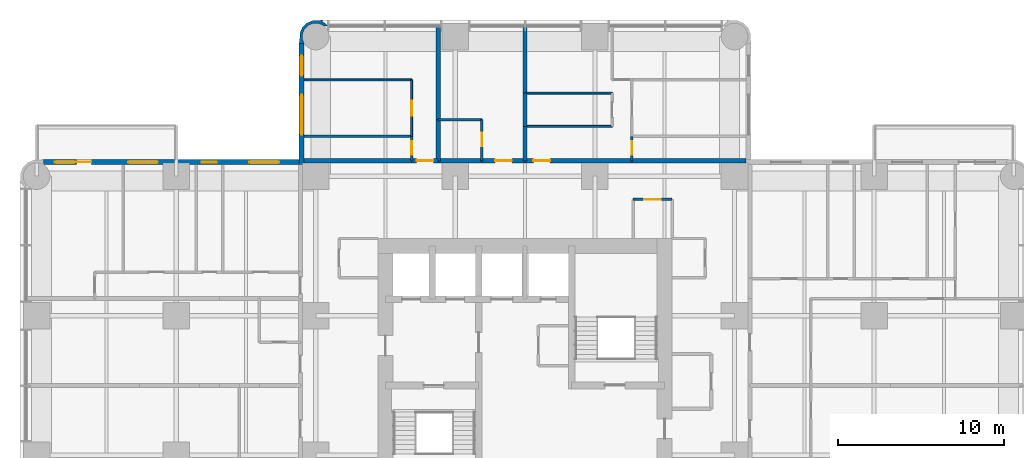
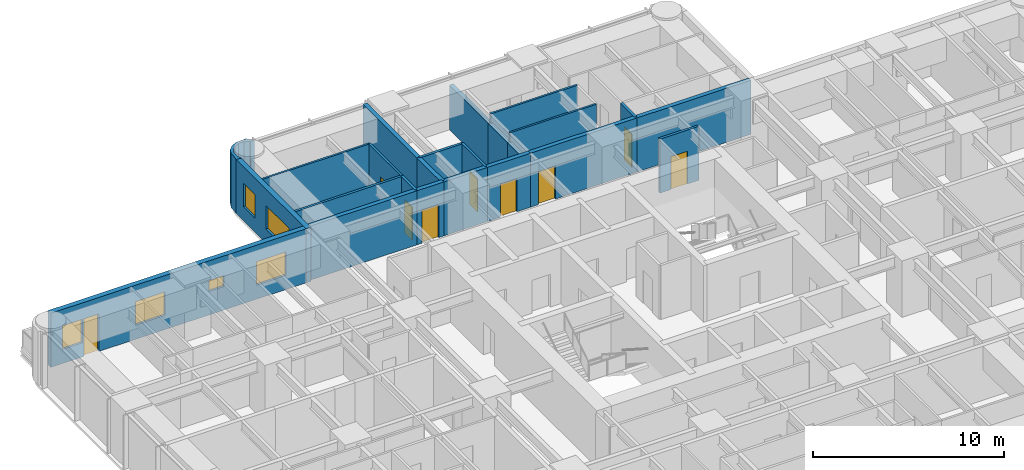
# One storey, part 11 of 14: 24 walls, 9 doors, 6 windows, 15 openings.
"""IFC4 building model written with IfcOpenShell, lengths in metres."""

from ifc_helpers import new_model, si_unit, direction, frame, frame_2d, origin, place, context, subcontext, project, spatial, polyline, rectangle, outline, extrude, material, layer, layer_set, type_object, element, fill, save


model = new_model("IFC4")

# Units and contexts
model_context = context("Model", 3, precision=1e-05, world=origin(), true_north=direction((0.0, 1.0)))
body_context = subcontext(model_context, "Body", "Model", "MODEL_VIEW")
ifc_project = project(units=[si_unit("LENGTHUNIT", "METRE"), si_unit("AREAUNIT", "SQUARE_METRE"), si_unit("VOLUMEUNIT", "CUBIC_METRE"), si_unit("PLANEANGLEUNIT", "RADIAN"), si_unit("MASSUNIT", "GRAM", prefix="KILO")], contexts=[model_context])

# Site, building, storey
site_placement = place(None, origin())
site = spatial("IfcSite", under=ifc_project, at=site_placement, CompositionType="ELEMENT")
building_placement = place(site_placement, origin())
building = spatial("IfcBuilding", under=site, at=building_placement, Name="Torre Alcanfor", CompositionType="ELEMENT")
storey_placement = place(building_placement, frame((0.0, 0.0, 134.10009765625)))
storey = spatial("IfcBuildingStorey", under=building, at=storey_placement, Name="L34", CompositionType="ELEMENT", Elevation=134.10009765625)

# Wall, opening, door
ifc_material_1 = material(Name="Concrete block masonry, hollow blocks NMX-C-404 9 MPa", Category="masonry")
ifc_layer_1 = layer(ifc_material_1, 0.25)
ifc_layer_set_1 = layer_set([ifc_layer_1], Name="Apartment entrance wall 250 EI 60")
wall_type_1 = type_object("IfcWallType", Name="Apartment entrance wall 250 EI 60", PredefinedType="PARTITIONING", material=ifc_layer_set_1)
wall_1_placement = place(storey_placement, frame((26.800048828125, 42.925048828125, 0.0), z_axis=(0.0, 0.0, 1.0), x_axis=(1.0, 0.0, 0.0)))
wall_1 = element("IfcWall", 1, at=wall_1_placement, inside=storey, type_object=wall_type_1, Name="Partition L34-CORR / L34-N1A-STUDIO", PredefinedType="PARTITIONING", context=body_context, shape_type="SweptSolid", body=[
    extrude(rectangle(XDim=2.599853515625, YDim=0.25, at=frame_2d((1.2998046875, 0.0))), origin(), (0.0, 0.0, 1.0), 3.449951171875),
])
opening_1_placement = place(wall_1_placement, frame((0.800048828125, 0.0, 0.0)))
opening_1 = element("IfcOpeningElement", 2, at=opening_1_placement, cuts=wall_1, Name="Opening D-A1", PredefinedType="OPENING", context=body_context, shape_type="SweptSolid", body=[
    extrude(rectangle(XDim=1.0, YDim=2.10009765625, at=frame_2d((0.5, 1.050048828125))), frame((0.0, 0.135009765625, 0.0), z_axis=(0.0, -1.0, 0.0), x_axis=(1.0, 0.0, 0.0)), (0.0, 0.0, 1.0), 0.27001953125),
])
ifc_material_2 = material(Name="Galvanised steel sheet ASTM A653", Category="steel")
door_type_1 = type_object("IfcDoorType", Name="Apartment entrance door FD60 1000x2100", OperationType="SINGLE_SWING_LEFT", PredefinedType="DOOR", material=ifc_material_2)
door_1_placement = place(opening_1_placement, origin())
door_1 = element("IfcDoor", 3, at=door_1_placement, inside=storey, type_object=door_type_1, Name="Apartment entrance L34-N1A", OperationType="SINGLE_SWING_LEFT", OverallHeight=2.10009765625, OverallWidth=1.0, PredefinedType="DOOR", context=body_context, shape_type="SweptSolid", body=[
    extrude(rectangle(XDim=1.0, YDim=2.10009765625, at=frame_2d((0.5, 1.050048828125))), frame((0.0, 0.02490234375, 0.0), z_axis=(0.0, -1.0, 0.0), x_axis=(1.0, 0.0, 0.0)), (0.0, 0.0, 1.0), 0.050048828125),
])
fill(opening_1, door_1)

# Wall
wall_2_placement = place(storey_placement, frame((24.1708984375, 42.925048828125, 0.0), z_axis=(0.0, 0.0, 1.0), x_axis=(1.0, 0.0, 0.0)))
element("IfcWall", 4, at=wall_2_placement, inside=storey, type_object=wall_type_1, Name="Partition L34-CORR / L34-N1A-BATH", PredefinedType="PARTITIONING", context=body_context, shape_type="SweptSolid", body=[
    extrude(rectangle(XDim=2.629150390625, YDim=0.25, at=frame_2d((1.314453125, 0.0))), origin(), (0.0, 0.0, 1.0), 3.449951171875),
])

# Wall, opening, door
wall_3_placement = place(storey_placement, frame((22.571044921875, 42.925048828125, 0.0), z_axis=(0.0, 0.0, 1.0), x_axis=(1.0, 0.0, 0.0)))
wall_3 = element("IfcWall", 5, at=wall_3_placement, inside=storey, type_object=wall_type_1, Name="Partition L34-CORR / L34-N1B-LIVING", PredefinedType="PARTITIONING", context=body_context, shape_type="SweptSolid", body=[
    extrude(rectangle(XDim=1.599853515625, YDim=0.25, at=frame_2d((0.7998046875, 0.0))), origin(), (0.0, 0.0, 1.0), 3.449951171875),
])
opening_2_placement = place(wall_3_placement, frame((0.300048828125, 0.0, 0.0)))
opening_2 = element("IfcOpeningElement", 6, at=opening_2_placement, cuts=wall_3, Name="Opening D-A1", PredefinedType="OPENING", context=body_context, shape_type="SweptSolid", body=[
    extrude(rectangle(XDim=1.0, YDim=2.10009765625, at=frame_2d((0.5, 1.050048828125))), frame((0.0, 0.135009765625, 0.0), z_axis=(0.0, -1.0, 0.0), x_axis=(1.0, 0.0, 0.0)), (0.0, 0.0, 1.0), 0.27001953125),
])
door_2_placement = place(opening_2_placement, origin())
door_2 = element("IfcDoor", 7, at=door_2_placement, inside=storey, type_object=door_type_1, Name="Apartment entrance L34-N1B", OperationType="SINGLE_SWING_LEFT", OverallHeight=2.10009765625, OverallWidth=1.0, PredefinedType="DOOR", context=body_context, shape_type="SweptSolid", body=[
    extrude(rectangle(XDim=1.0, YDim=2.10009765625, at=frame_2d((0.5, 1.050048828125))), frame((0.0, 0.02490234375, 0.0), z_axis=(0.0, -1.0, 0.0), x_axis=(1.0, 0.0, 0.0)), (0.0, 0.0, 1.0), 0.050048828125),
])
fill(opening_2, door_2)

# Wall
wall_4_placement = place(storey_placement, frame((16.10009765625, 42.925048828125, 0.0), z_axis=(0.0, 0.0, 1.0), x_axis=(1.0, 0.0, 0.0)))
element("IfcWall", 8, at=wall_4_placement, inside=storey, type_object=wall_type_1, Name="Partition L34-CORR / L34-N1B-BATH", PredefinedType="PARTITIONING", context=body_context, shape_type="SweptSolid", body=[
    extrude(rectangle(XDim=6.470947265625, YDim=0.25, at=frame_2d((3.2353515625, 0.0))), origin(), (0.0, 0.0, 1.0), 3.449951171875),
])

# Wall, opening, door
wall_5_placement = place(storey_placement, frame((29.39990234375, 42.925048828125, 0.0), z_axis=(0.0, 0.0, 1.0), x_axis=(1.0, 0.0, 0.0)))
wall_5 = element("IfcWall", 9, at=wall_5_placement, inside=storey, type_object=wall_type_1, Name="Partition L34-CORR / L34-N2-LIVING", PredefinedType="PARTITIONING", context=body_context, shape_type="SweptSolid", body=[
    extrude(rectangle(XDim=6.42919921875, YDim=0.25, at=frame_2d((3.214599609375, 0.0))), origin(), (0.0, 0.0, 1.0), 3.449951171875),
])
opening_3_placement = place(wall_5_placement, frame((0.5, 0.0, 0.0)))
opening_3 = element("IfcOpeningElement", 10, at=opening_3_placement, cuts=wall_5, Name="Opening D-A1", PredefinedType="OPENING", context=body_context, shape_type="SweptSolid", body=[
    extrude(rectangle(XDim=1.0, YDim=2.10009765625, at=frame_2d((0.5, 1.050048828125))), frame((0.0, 0.135009765625, 0.0), z_axis=(0.0, -1.0, 0.0), x_axis=(1.0, 0.0, 0.0)), (0.0, 0.0, 1.0), 0.27001953125),
])
door_3_placement = place(opening_3_placement, origin())
door_3 = element("IfcDoor", 11, at=door_3_placement, inside=storey, type_object=door_type_1, Name="Apartment entrance L34-N2", OperationType="SINGLE_SWING_LEFT", OverallHeight=2.10009765625, OverallWidth=1.0, PredefinedType="DOOR", context=body_context, shape_type="SweptSolid", body=[
    extrude(rectangle(XDim=1.0, YDim=2.10009765625, at=frame_2d((0.5, 1.050048828125))), frame((0.0, 0.02490234375, 0.0), z_axis=(0.0, -1.0, 0.0), x_axis=(1.0, 0.0, 0.0)), (0.0, 0.0, 1.0), 0.050048828125),
])
fill(opening_3, door_3)

# Wall
wall_6_placement = place(storey_placement, frame((35.8291015625, 42.925048828125, 0.0), z_axis=(0.0, 0.0, 1.0), x_axis=(1.0, 0.0, 0.0)))
element("IfcWall", 12, at=wall_6_placement, inside=storey, type_object=wall_type_1, Name="Partition L34-CORR / L34-N2-BATH", PredefinedType="PARTITIONING", context=body_context, shape_type="SweptSolid", body=[
    extrude(rectangle(XDim=6.870849609375, YDim=0.25, at=frame_2d((3.435546875, 0.0))), origin(), (0.0, 0.0, 1.0), 3.449951171875),
])

# Wall, opening, door
ifc_material_3 = material(Name="Gypsum board on steel studs", Category="steel")
ifc_layer_2 = layer(ifc_material_3, 0.1201171875)
ifc_layer_set_2 = layer_set([ifc_layer_2], Name="Apartment partition 120")
wall_type_2 = type_object("IfcWallType", Name="Apartment partition 120", PredefinedType="PARTITIONING", material=ifc_layer_set_2)
wall_7_placement = place(storey_placement, frame((22.571044921875, 44.39990234375, 0.0), z_axis=(0.0, 0.0, 1.0), x_axis=(0.0, 1.0, 0.0)))
wall_7 = element("IfcWall", 13, at=wall_7_placement, inside=storey, type_object=wall_type_2, Name="Partition L34-N1B-LIVING / L34-N1B-MASTER", PredefinedType="PARTITIONING", context=body_context, shape_type="SweptSolid", body=[
    extrude(rectangle(XDim=3.400146484375, YDim=0.1201171875, at=frame_2d((1.7001953125, 0.0))), origin(), (0.0, 0.0, 1.0), 3.449951171875),
])
opening_4_placement = place(wall_7_placement, frame((1.25, 0.0, 0.0)))
opening_4 = element("IfcOpeningElement", 14, at=opening_4_placement, cuts=wall_7, Name="Opening D-R1", PredefinedType="OPENING", context=body_context, shape_type="SweptSolid", body=[
    extrude(rectangle(XDim=0.89990234375, YDim=2.10009765625, at=frame_2d((0.449951171875, 1.050048828125))), frame((0.0, 0.070068359375, 0.0), z_axis=(0.0, -1.0, 0.0), x_axis=(1.0, 0.0, 0.0)), (0.0, 0.0, 1.0), 0.14013671875),
])
ifc_material_4 = material(Name="Timber", Category="wood")
door_type_2 = type_object("IfcDoorType", Name="Internal door 900x2100", OperationType="SINGLE_SWING_LEFT", PredefinedType="DOOR", material=ifc_material_4)
door_4_placement = place(opening_4_placement, origin())
door_4 = element("IfcDoor", 15, at=door_4_placement, inside=storey, type_object=door_type_2, Name="Door L34-N1B master", OperationType="SINGLE_SWING_LEFT", OverallHeight=2.10009765625, OverallWidth=0.89990234375, PredefinedType="DOOR", context=body_context, shape_type="SweptSolid", body=[
    extrude(rectangle(XDim=0.89990234375, YDim=2.10009765625, at=frame_2d((0.449951171875, 1.050048828125))), frame((0.0, 0.02490234375, 0.0), z_axis=(0.0, -1.0, 0.0), x_axis=(1.0, 0.0, 0.0)), (0.0, 0.0, 1.0), 0.050048828125),
])
fill(opening_4, door_4)

# Walls
wall_8_placement = place(storey_placement, frame((22.571044921875, 47.800048828125, 0.0), z_axis=(0.0, 0.0, 1.0), x_axis=(-1.0, 0.0, 0.0)))
element("IfcWall", 16, at=wall_8_placement, inside=storey, type_object=wall_type_2, Name="Partition L34-N1B-LIVING / L34-N1B-MASTER", PredefinedType="PARTITIONING", context=body_context, shape_type="SweptSolid", body=[
    extrude(rectangle(XDim=6.470947265625, YDim=0.1201171875, at=frame_2d((3.2353515625, 0.0))), origin(), (0.0, 0.0, 1.0), 3.449951171875),
])
for number, where, z_axis, x_axis, name in (
    (17, (29.39990234375, 47.0, 0.0), (0.0, 0.0, 1.0), (1.0, 0.0, 0.0), "Partition L34-N2-KITCHEN / L34-N2-LIVING"),
    (18, (34.62890625, 45.0, 0.0), (0.0, 0.0, 1.0), (-1.0, 0.0, 0.0), "Partition L34-N2-KITCHEN / L34-N2-LIVING"),
):
    element("IfcWall", number, at=place(storey_placement, frame(where, z_axis=z_axis, x_axis=x_axis)), inside=storey, type_object=wall_type_2, Name=name, PredefinedType="PARTITIONING", context=body_context, shape_type="SweptSolid", body=[
        extrude(rectangle(XDim=5.22900390625, YDim=0.1201171875, at=frame_2d((2.614501953125, 0.0))), origin(), (0.0, 0.0, 1.0), 3.449951171875),
    ])

# Wall, openings, door, windows
ifc_material_5 = material(Name="Limestone cladding", Category="masonry")
ifc_layer_3 = layer(ifc_material_5, 0.0400390625, Name="Facing")
ifc_material_6 = material(Name="Ventilated air cavity")
ifc_layer_4 = layer(ifc_material_6, 0.02001953125, ventilated=True, Name="Ventilated joint")
ifc_material_7 = material(Name="Mineral wool insulation", Category="insulation")
ifc_layer_5 = layer(ifc_material_7, 0.10009765625, Name="Insulation")
ifc_material_8 = material(Name="Concrete f'c 35 MPa", Category="concrete")
ifc_layer_6 = layer(ifc_material_8, 0.139892578125, Name="Backing")
ifc_layer_set_3 = layer_set([ifc_layer_3, ifc_layer_4, ifc_layer_5, ifc_layer_6], Name="External wall stone-clad 300")
wall_type_3 = type_object("IfcWallType", Name="External wall stone-clad 300", PredefinedType="SOLIDWALL", material=ifc_layer_set_3)
wall_9_placement = place(storey_placement, frame((15.800048828125, 42.85009765625, 0.0), z_axis=(0.0, 0.0, 1.0), x_axis=(-1.0, 0.0, 0.0)))
wall_9 = element("IfcWall", 19, at=wall_9_placement, inside=storey, type_object=wall_type_3, Name="External wall L34 1", PredefinedType="SOLIDWALL", context=body_context, shape_type="SweptSolid", body=[
    extrude(rectangle(XDim=15.400146484375, YDim=0.300048828125, at=frame_2d((7.7001953125, 0.0))), origin(), (0.0, 0.0, 1.0), 3.449951171875),
])
opening_5_placement = place(wall_9_placement, frame((1.199951171875, 0.0, 0.89990234375)))
opening_5 = element("IfcOpeningElement", 20, at=opening_5_placement, cuts=wall_9, Name="Opening W2", PredefinedType="OPENING", context=body_context, shape_type="SweptSolid", body=[
    extrude(rectangle(XDim=1.800048828125, YDim=1.5, at=frame_2d((0.89990234375, 0.75))), frame((0.0, 0.159912109375, 0.0), z_axis=(0.0, -1.0, 0.0), x_axis=(1.0, 0.0, 0.0)), (0.0, 0.0, 1.0), 0.320068359375),
])
opening_6_placement = place(wall_9_placement, frame((4.949951171875, 0.0, 1.5)))
opening_6 = element("IfcOpeningElement", 21, at=opening_6_placement, cuts=wall_9, Name="Opening W3", PredefinedType="OPENING", context=body_context, shape_type="SweptSolid", body=[
    extrude(rectangle(XDim=0.89990234375, YDim=0.699951171875, at=frame_2d((0.449951171875, 0.35009765625))), frame((0.0, 0.159912109375, 0.0), z_axis=(0.0, -1.0, 0.0), x_axis=(1.0, 0.0, 0.0)), (0.0, 0.0, 1.0), 0.320068359375),
])
opening_7_placement = place(wall_9_placement, frame((8.5, 0.0, 0.89990234375)))
opening_7 = element("IfcOpeningElement", 22, at=opening_7_placement, cuts=wall_9, Name="Opening W2", PredefinedType="OPENING", context=body_context, shape_type="SweptSolid", body=[
    extrude(rectangle(XDim=1.800048828125, YDim=1.5, at=frame_2d((0.89990234375, 0.75))), frame((0.0, 0.159912109375, 0.0), z_axis=(0.0, -1.0, 0.0), x_axis=(1.0, 0.0, 0.0)), (0.0, 0.0, 1.0), 0.320068359375),
])
opening_8_placement = place(wall_9_placement, frame((12.5, 0.0, 0.0)))
opening_8 = element("IfcOpeningElement", 23, at=opening_8_placement, cuts=wall_9, Name="Opening D-B1", PredefinedType="OPENING", context=body_context, shape_type="SweptSolid", body=[
    extrude(rectangle(XDim=0.89990234375, YDim=2.39990234375, at=frame_2d((0.449951171875, 1.199951171875))), frame((0.0, 0.159912109375, 0.0), z_axis=(0.0, -1.0, 0.0), x_axis=(1.0, 0.0, 0.0)), (0.0, 0.0, 1.0), 0.320068359375),
])
opening_9_placement = place(wall_9_placement, frame((13.5, 0.0, 0.89990234375)))
opening_9 = element("IfcOpeningElement", 24, at=opening_9_placement, cuts=wall_9, Name="Opening W4", PredefinedType="OPENING", context=body_context, shape_type="SweptSolid", body=[
    extrude(rectangle(XDim=1.199951171875, YDim=1.5, at=frame_2d((0.60009765625, 0.75))), frame((0.0, 0.159912109375, 0.0), z_axis=(0.0, -1.0, 0.0), x_axis=(1.0, 0.0, 0.0)), (0.0, 0.0, 1.0), 0.320068359375),
])
ifc_material_9 = material(Name="Aluminium and glass", Category="aluminium")
door_type_3 = type_object("IfcDoorType", Name="Balcony door glazed 900x2400", OperationType="SINGLE_SWING_LEFT", PredefinedType="DOOR", material=ifc_material_9)
door_5_placement = place(opening_8_placement, origin())
door_5 = element("IfcDoor", 25, at=door_5_placement, inside=storey, type_object=door_type_3, Name="Balcony door L34-W2", OperationType="SINGLE_SWING_LEFT", OverallHeight=2.39990234375, OverallWidth=0.89990234375, PredefinedType="DOOR", context=body_context, shape_type="SweptSolid", body=[
    extrude(rectangle(XDim=0.89990234375, YDim=2.39990234375, at=frame_2d((0.449951171875, 1.199951171875))), frame((0.0, 0.02490234375, 0.0), z_axis=(0.0, -1.0, 0.0), x_axis=(1.0, 0.0, 0.0)), (0.0, 0.0, 1.0), 0.050048828125),
])
fill(opening_8, door_5)
ifc_material_10 = material(Name="Aluminium frame with clear double glazing", Category="aluminium")
window_type_1 = type_object("IfcWindowType", Name="Window bathroom 900x700", PartitioningType="SINGLE_PANEL", PredefinedType="WINDOW", material=ifc_material_10)
window_1_placement = place(opening_6_placement, origin())
window_1 = element("IfcWindow", 26, at=window_1_placement, inside=storey, type_object=window_type_1, Name="Window W3 L34-W2", OverallHeight=0.699951171875, OverallWidth=0.89990234375, PartitioningType="SINGLE_PANEL", PredefinedType="WINDOW", context=body_context, shape_type="SweptSolid", body=[
    extrude(rectangle(XDim=0.89990234375, YDim=0.699951171875, at=frame_2d((0.449951171875, 0.35009765625))), frame((0.0, 0.030029296875, 0.0), z_axis=(0.0, -1.0, 0.0), x_axis=(1.0, 0.0, 0.0)), (0.0, 0.0, 1.0), 0.06005859375),
])
fill(opening_6, window_1)
ifc_material_11 = material(Name="Aluminium frame with clear double glazing", Category="aluminium")
window_type_2 = type_object("IfcWindowType", Name="Window bedroom 1200x1500", PartitioningType="SINGLE_PANEL", PredefinedType="WINDOW", material=ifc_material_11)
window_2_placement = place(opening_9_placement, origin())
window_2 = element("IfcWindow", 27, at=window_2_placement, inside=storey, type_object=window_type_2, Name="Window W4 L34-W2", OverallHeight=1.5, OverallWidth=1.199951171875, PartitioningType="SINGLE_PANEL", PredefinedType="WINDOW", context=body_context, shape_type="SweptSolid", body=[
    extrude(rectangle(XDim=1.199951171875, YDim=1.5, at=frame_2d((0.60009765625, 0.75))), frame((0.0, 0.030029296875, 0.0), z_axis=(0.0, -1.0, 0.0), x_axis=(1.0, 0.0, 0.0)), (0.0, 0.0, 1.0), 0.06005859375),
])
fill(opening_9, window_2)
ifc_material_12 = material(Name="Aluminium frame with clear double glazing", Category="aluminium")
window_type_3 = type_object("IfcWindowType", Name="Window bedroom 1800x1500", PartitioningType="SINGLE_PANEL", PredefinedType="WINDOW", material=ifc_material_12)
window_3_placement = place(opening_5_placement, origin())
window_3 = element("IfcWindow", 28, at=window_3_placement, inside=storey, type_object=window_type_3, Name="Window W2 L34-W2", OverallHeight=1.5, OverallWidth=1.800048828125, PartitioningType="SINGLE_PANEL", PredefinedType="WINDOW", context=body_context, shape_type="SweptSolid", body=[
    extrude(rectangle(XDim=1.800048828125, YDim=1.5, at=frame_2d((0.89990234375, 0.75))), frame((0.0, 0.030029296875, 0.0), z_axis=(0.0, -1.0, 0.0), x_axis=(1.0, 0.0, 0.0)), (0.0, 0.0, 1.0), 0.06005859375),
])
fill(opening_5, window_3)
window_4_placement = place(opening_7_placement, origin())
window_4 = element("IfcWindow", 29, at=window_4_placement, inside=storey, type_object=window_type_3, Name="Window W2 L34-W2", OverallHeight=1.5, OverallWidth=1.800048828125, PartitioningType="SINGLE_PANEL", PredefinedType="WINDOW", context=body_context, shape_type="SweptSolid", body=[
    extrude(rectangle(XDim=1.800048828125, YDim=1.5, at=frame_2d((0.89990234375, 0.75))), frame((0.0, 0.030029296875, 0.0), z_axis=(0.0, -1.0, 0.0), x_axis=(1.0, 0.0, 0.0)), (0.0, 0.0, 1.0), 0.06005859375),
])
fill(opening_7, window_4)

# Wall, openings, windows
wall_10_placement = place(storey_placement, frame((15.949951171875, 50.0, 0.0), z_axis=(0.0, 0.0, 1.0), x_axis=(0.0, -1.0, 0.0)))
wall_10 = element("IfcWall", 30, at=wall_10_placement, inside=storey, type_object=wall_type_3, Name="External wall L34 12", PredefinedType="SOLIDWALL", context=body_context, shape_type="SweptSolid", body=[
    extrude(rectangle(XDim=7.300048828125, YDim=0.300048828125, at=frame_2d((3.64990234375, 0.0))), origin(), (0.0, 0.0, 1.0), 3.449951171875),
])
opening_10_placement = place(wall_10_placement, frame((3.10009765625, 0.0, 0.89990234375)))
opening_10 = element("IfcOpeningElement", 31, at=opening_10_placement, cuts=wall_10, Name="Opening W1", PredefinedType="OPENING", context=body_context, shape_type="SweptSolid", body=[
    extrude(rectangle(XDim=2.39990234375, YDim=1.5, at=frame_2d((1.199951171875, 0.75))), frame((0.0, 0.159912109375, 0.0), z_axis=(0.0, -1.0, 0.0), x_axis=(1.0, 0.0, 0.0)), (0.0, 0.0, 1.0), 0.320068359375),
])
opening_11_placement = place(wall_10_placement, frame((0.75, 0.0, 0.89990234375)))
opening_11 = element("IfcOpeningElement", 32, at=opening_11_placement, cuts=wall_10, Name="Opening W4", PredefinedType="OPENING", context=body_context, shape_type="SweptSolid", body=[
    extrude(rectangle(XDim=1.199951171875, YDim=1.5, at=frame_2d((0.60009765625, 0.75))), frame((0.0, 0.159912109375, 0.0), z_axis=(0.0, -1.0, 0.0), x_axis=(1.0, 0.0, 0.0)), (0.0, 0.0, 1.0), 0.320068359375),
])
window_5_placement = place(opening_11_placement, origin())
window_5 = element("IfcWindow", 33, at=window_5_placement, inside=storey, type_object=window_type_2, Name="Window W4 L34-N1", OverallHeight=1.5, OverallWidth=1.199951171875, PartitioningType="SINGLE_PANEL", PredefinedType="WINDOW", context=body_context, shape_type="SweptSolid", body=[
    extrude(rectangle(XDim=1.199951171875, YDim=1.5, at=frame_2d((0.60009765625, 0.75))), frame((0.0, 0.030029296875, 0.0), z_axis=(0.0, -1.0, 0.0), x_axis=(1.0, 0.0, 0.0)), (0.0, 0.0, 1.0), 0.06005859375),
])
fill(opening_11, window_5)
ifc_material_13 = material(Name="Aluminium frame with clear double glazing", Category="aluminium")
window_type_4 = type_object("IfcWindowType", Name="Window bedroom 2400x1500", PartitioningType="SINGLE_PANEL", PredefinedType="WINDOW", material=ifc_material_13)
window_6_placement = place(opening_10_placement, origin())
window_6 = element("IfcWindow", 34, at=window_6_placement, inside=storey, type_object=window_type_4, Name="Window W1 L34-N1", OverallHeight=1.5, OverallWidth=2.39990234375, PartitioningType="SINGLE_PANEL", PredefinedType="WINDOW", context=body_context, shape_type="SweptSolid", body=[
    extrude(rectangle(XDim=2.39990234375, YDim=1.5, at=frame_2d((1.199951171875, 0.75))), frame((0.0, 0.030029296875, 0.0), z_axis=(0.0, -1.0, 0.0), x_axis=(1.0, 0.0, 0.0)), (0.0, 0.0, 1.0), 0.06005859375),
])
fill(opening_10, window_6)

# Walls
ifc_material_14 = material(Name="Concrete block masonry, hollow blocks NMX-C-404 9 MPa", Category="masonry")
ifc_layer_7 = layer(ifc_material_14, 0.25)
ifc_layer_set_4 = layer_set([ifc_layer_7], Name="Party wall 250 EI 60")
wall_type_4 = type_object("IfcWallType", Name="Party wall 250 EI 60", PredefinedType="PARTITIONING", material=ifc_layer_set_4)
wall_11_placement = place(storey_placement, frame((24.1708984375, 45.39990234375, 0.0), z_axis=(0.0, 0.0, 1.0), x_axis=(0.0, 1.0, 0.0)))
element("IfcWall", 35, at=wall_11_placement, inside=storey, type_object=wall_type_4, Name="Partition L34-N1A-STUDIO / L34-N1B-LIVING", PredefinedType="PARTITIONING", context=body_context, shape_type="SweptSolid", body=[
    extrude(rectangle(XDim=5.650146484375, YDim=0.25, at=frame_2d((2.8251953125, 0.0))), origin(), (0.0, 0.0, 1.0), 3.449951171875),
])
wall_12_placement = place(storey_placement, frame((29.39990234375, 47.0, 0.0), z_axis=(0.0, 0.0, 1.0), x_axis=(0.0, -1.0, 0.0)))
element("IfcWall", 36, at=wall_12_placement, inside=storey, type_object=wall_type_4, Name="Partition L34-N1A-STUDIO / L34-N2-KITCHEN", PredefinedType="PARTITIONING", context=body_context, shape_type="SweptSolid", body=[
    extrude(rectangle(XDim=2.0, YDim=0.25, at=frame_2d((1.0, 0.0))), origin(), (0.0, 0.0, 1.0), 2.847900390625),
])
wall_13_placement = place(storey_placement, frame((29.39990234375, 45.0, 0.0), z_axis=(0.0, 0.0, 1.0), x_axis=(0.0, -1.0, 0.0)))
element("IfcWall", 37, at=wall_13_placement, inside=storey, type_object=wall_type_4, Name="Partition L34-N1A-STUDIO / L34-N2-LIVING", PredefinedType="PARTITIONING", context=body_context, shape_type="SweptSolid", body=[
    extrude(rectangle(XDim=2.074951171875, YDim=0.25, at=frame_2d((1.03759765625, 0.0))), origin(), (0.0, 0.0, 1.0), 2.847900390625),
])
wall_14_placement = place(storey_placement, frame((29.39990234375, 51.050048828125, 0.0), z_axis=(0.0, 0.0, 1.0), x_axis=(0.0, -1.0, 0.0)))
element("IfcWall", 38, at=wall_14_placement, inside=storey, type_object=wall_type_4, Name="Partition L34-N1A-STUDIO / L34-N2-LIVING", PredefinedType="PARTITIONING", context=body_context, shape_type="SweptSolid", body=[
    extrude(rectangle(XDim=4.050048828125, YDim=0.25, at=frame_2d((2.02490234375, 0.0))), origin(), (0.0, 0.0, 1.0), 2.847900390625),
])
wall_15_placement = place(storey_placement, frame((24.1708984375, 45.39990234375, 0.0), z_axis=(0.0, 0.0, 1.0), x_axis=(0.0, -1.0, 0.0)))
element("IfcWall", 39, at=wall_15_placement, inside=storey, type_object=wall_type_4, Name="Partition L34-N1A-BATH / L34-N1B-LIVING", PredefinedType="PARTITIONING", context=body_context, shape_type="SweptSolid", body=[
    extrude(rectangle(XDim=2.474853515625, YDim=0.25, at=frame_2d((1.2373046875, 0.0))), origin(), (0.0, 0.0, 1.0), 3.449951171875),
])

# Wall, opening, door
ifc_material_15 = material(Name="Concrete block masonry, hollow blocks NMX-C-404 9 MPa", Category="masonry")
ifc_layer_8 = layer(ifc_material_15, 0.14990234375)
ifc_layer_set_5 = layer_set([ifc_layer_8], Name="Residents' room partition 150")
wall_type_5 = type_object("IfcWallType", Name="Residents' room partition 150", PredefinedType="PARTITIONING", material=ifc_layer_set_5)
wall_16_placement = place(storey_placement, frame((38.25, 40.60009765625, 0.0), z_axis=(0.0, 0.0, 1.0), x_axis=(-1.0, 0.0, 0.0)))
wall_16 = element("IfcWall", 40, at=wall_16_placement, inside=storey, type_object=wall_type_5, Name="Partition L34-CORR / L34-G01", PredefinedType="PARTITIONING", context=body_context, shape_type="SweptSolid", body=[
    extrude(rectangle(XDim=2.35009765625, YDim=0.14990234375, at=frame_2d((1.175048828125, 0.0))), origin(), (0.0, 0.0, 1.0), 3.449951171875),
])
opening_12_placement = place(wall_16_placement, frame((0.675048828125, 0.0, 0.0)))
opening_12 = element("IfcOpeningElement", 41, at=opening_12_placement, cuts=wall_16, Name="Opening D-M1", PredefinedType="OPENING", context=body_context, shape_type="SweptSolid", body=[
    extrude(rectangle(XDim=1.0, YDim=2.10009765625, at=frame_2d((0.5, 1.050048828125))), frame((0.0, 0.0849609375, 0.0), z_axis=(0.0, -1.0, 0.0), x_axis=(1.0, 0.0, 0.0)), (0.0, 0.0, 1.0), 0.169921875),
])
ifc_material_16 = material(Name="Timber", Category="wood")
door_type_4 = type_object("IfcDoorType", Name="Residents' room door 1000x2100", OperationType="SINGLE_SWING_LEFT", PredefinedType="DOOR", material=ifc_material_16)
door_6_placement = place(opening_12_placement, origin())
door_6 = element("IfcDoor", 42, at=door_6_placement, inside=storey, type_object=door_type_4, Name="Door L34-G01 parcel room", OperationType="SINGLE_SWING_LEFT", OverallHeight=2.10009765625, OverallWidth=1.0, PredefinedType="DOOR", context=body_context, shape_type="SweptSolid", body=[
    extrude(rectangle(XDim=1.0, YDim=2.10009765625, at=frame_2d((0.5, 1.050048828125))), frame((0.0, 0.02490234375, 0.0), z_axis=(0.0, -1.0, 0.0), x_axis=(1.0, 0.0, 0.0)), (0.0, 0.0, 1.0), 0.050048828125),
])
fill(opening_12, door_6)

# Wall
ifc_layer_9 = layer(ifc_material_5, 0.0400390625, Name="Facing")
ifc_layer_10 = layer(ifc_material_6, 0.02001953125, ventilated=True, Name="Ventilated joint")
ifc_layer_11 = layer(ifc_material_7, 0.10009765625, Name="Insulation")
ifc_layer_12 = layer(ifc_material_8, 0.139892578125, Name="Backing")
ifc_layer_set_6 = layer_set([ifc_layer_9, ifc_layer_10, ifc_layer_11, ifc_layer_12], Name="Rounded corner pier stone-clad 300")
wall_type_6 = type_object("IfcWallType", Name="Rounded corner pier stone-clad 300", PredefinedType="SOLIDWALL", material=ifc_layer_set_6)
wall_17_placement = place(storey_placement, frame((17.448071802, 50.995317512, 0.0), z_axis=(0.0, 0.0, 1.0), x_axis=(-0.343276641956, 0.93923434088, 0.0)))
element("IfcWall", 43, at=wall_17_placement, inside=storey, type_object=wall_type_6, Name="Corner pier L34 20", PredefinedType="SOLIDWALL", context=body_context, shape_type="SweptSolid", body=[
    extrude(outline(polyline([(0.24108059829103723, 0.022959620234629247), (0.3334805428319213, 0.12357557552177408), (0.4651739844878831, 0.09415889406460926), (0.5320540980205655, 0.3930753034134802), (0.6306958479185591, 0.6629675932609465), (0.6144442310825087, 1.0445145490965344), (0.4535240125743382, 1.3908175635047577), (0.17229496211504458, 1.6490443416962495), (-0.0975973277324218, 1.7476860915942432), (-0.36910859501107685, 1.8895490248211664), (-0.5092558011112671, 1.6213097208797382), (-0.4906820751319597, 1.6145212911926206), (-0.47934485608116756, 1.6085581501360122), (-0.21131694537408713, 1.6200307736528514), (0.0879264176258649, 1.5106616286937335), (0.32264848080083985, 1.2951661291093102), (0.4569426595377669, 1.0061627997252323), (0.4702938084391308, 0.6878005781830546), (0.3609246634800129, 0.3885572151831026), (0.1454291638955897, 0.15383515200812764), (0.10816871297824923, 0.136520951282565), (0.030981753202503952, -0.0746691922599299), (0.24108059829103723, 0.022959620234629247)])), origin(), (0.0, 0.0, 1.0), 3.449951171875),
])

# Wall, opening, door
ifc_material_17 = material(Name="Cement board on steel studs", Category="steel")
ifc_layer_13 = layer(ifc_material_17, 0.14990234375)
ifc_layer_set_7 = layer_set([ifc_layer_13], Name="Wet area partition 150")
wall_type_7 = type_object("IfcWallType", Name="Wet area partition 150", PredefinedType="PARTITIONING", material=ifc_layer_set_7)
wall_18_placement = place(storey_placement, frame((26.800048828125, 42.925048828125, 0.0), z_axis=(0.0, 0.0, 1.0), x_axis=(0.0, 1.0, 0.0)))
wall_18 = element("IfcWall", 44, at=wall_18_placement, inside=storey, type_object=wall_type_7, Name="Partition L34-N1A-STUDIO / L34-N1A-BATH", PredefinedType="PARTITIONING", context=body_context, shape_type="SweptSolid", body=[
    extrude(rectangle(XDim=2.474853515625, YDim=0.14990234375, at=frame_2d((1.2373046875, 0.0))), origin(), (0.0, 0.0, 1.0), 3.449951171875),
])
opening_13_placement = place(wall_18_placement, frame((0.875, 0.0, 0.0)))
opening_13 = element("IfcOpeningElement", 45, at=opening_13_placement, cuts=wall_18, Name="Opening D-R2", PredefinedType="OPENING", context=body_context, shape_type="SweptSolid", body=[
    extrude(rectangle(XDim=0.800048828125, YDim=2.10009765625, at=frame_2d((0.39990234375, 1.050048828125))), frame((0.0, 0.0849609375, 0.0), z_axis=(0.0, -1.0, 0.0), x_axis=(1.0, 0.0, 0.0)), (0.0, 0.0, 1.0), 0.169921875),
])
ifc_material_18 = material(Name="Timber", Category="wood")
door_type_5 = type_object("IfcDoorType", Name="Bathroom door 800x2100", OperationType="SINGLE_SWING_LEFT", PredefinedType="DOOR", material=ifc_material_18)
door_7_placement = place(opening_13_placement, origin())
door_7 = element("IfcDoor", 46, at=door_7_placement, inside=storey, type_object=door_type_5, Name="Door L34-N1A bath", OperationType="SINGLE_SWING_RIGHT", OverallHeight=2.10009765625, OverallWidth=0.800048828125, PredefinedType="DOOR", context=body_context, shape_type="SweptSolid", body=[
    extrude(rectangle(XDim=0.800048828125, YDim=2.10009765625, at=frame_2d((0.39990234375, 1.050048828125))), frame((0.0, 0.02490234375, 0.0), z_axis=(0.0, -1.0, 0.0), x_axis=(1.0, 0.0, 0.0)), (0.0, 0.0, 1.0), 0.050048828125),
])
fill(opening_13, door_7)

# Wall
wall_19_placement = place(storey_placement, frame((26.800048828125, 45.39990234375, 0.0), z_axis=(0.0, 0.0, 1.0), x_axis=(-1.0, 0.0, 0.0)))
element("IfcWall", 47, at=wall_19_placement, inside=storey, type_object=wall_type_7, Name="Partition L34-N1A-STUDIO / L34-N1A-BATH", PredefinedType="PARTITIONING", context=body_context, shape_type="SweptSolid", body=[
    extrude(rectangle(XDim=2.629150390625, YDim=0.14990234375, at=frame_2d((1.314453125, 0.0))), origin(), (0.0, 0.0, 1.0), 3.449951171875),
])

# Wall, opening, door
wall_20_placement = place(storey_placement, frame((22.571044921875, 42.925048828125, 0.0), z_axis=(0.0, 0.0, 1.0), x_axis=(0.0, 1.0, 0.0)))
wall_20 = element("IfcWall", 48, at=wall_20_placement, inside=storey, type_object=wall_type_7, Name="Partition L34-N1B-LIVING / L34-N1B-BATH", PredefinedType="PARTITIONING", context=body_context, shape_type="SweptSolid", body=[
    extrude(rectangle(XDim=1.474853515625, YDim=0.14990234375, at=frame_2d((0.7373046875, 0.0))), origin(), (0.0, 0.0, 1.0), 3.449951171875),
])
opening_14_placement = place(wall_20_placement, frame((0.375, 0.0, 0.0)))
opening_14 = element("IfcOpeningElement", 49, at=opening_14_placement, cuts=wall_20, Name="Opening D-R2", PredefinedType="OPENING", context=body_context, shape_type="SweptSolid", body=[
    extrude(rectangle(XDim=0.800048828125, YDim=2.10009765625, at=frame_2d((0.39990234375, 1.050048828125))), frame((0.0, 0.0849609375, 0.0), z_axis=(0.0, -1.0, 0.0), x_axis=(1.0, 0.0, 0.0)), (0.0, 0.0, 1.0), 0.169921875),
])
door_8_placement = place(opening_14_placement, origin())
door_8 = element("IfcDoor", 50, at=door_8_placement, inside=storey, type_object=door_type_5, Name="Door L34-N1B bath", OperationType="SINGLE_SWING_RIGHT", OverallHeight=2.10009765625, OverallWidth=0.800048828125, PredefinedType="DOOR", context=body_context, shape_type="SweptSolid", body=[
    extrude(rectangle(XDim=0.800048828125, YDim=2.10009765625, at=frame_2d((0.39990234375, 1.050048828125))), frame((0.0, 0.02490234375, 0.0), z_axis=(0.0, -1.0, 0.0), x_axis=(1.0, 0.0, 0.0)), (0.0, 0.0, 1.0), 0.050048828125),
])
fill(opening_14, door_8)

# Wall
wall_21_placement = place(storey_placement, frame((22.571044921875, 44.39990234375, 0.0), z_axis=(0.0, 0.0, 1.0), x_axis=(-1.0, 0.0, 0.0)))
element("IfcWall", 51, at=wall_21_placement, inside=storey, type_object=wall_type_7, Name="Partition L34-N1B-BATH / L34-N1B-MASTER", PredefinedType="PARTITIONING", context=body_context, shape_type="SweptSolid", body=[
    extrude(rectangle(XDim=6.470947265625, YDim=0.14990234375, at=frame_2d((3.2353515625, 0.0))), origin(), (0.0, 0.0, 1.0), 3.449951171875),
])

# Wall, opening, door
wall_22_placement = place(storey_placement, frame((35.8291015625, 44.39990234375, 0.0), z_axis=(0.0, 0.0, 1.0), x_axis=(0.0, -1.0, 0.0)))
wall_22 = element("IfcWall", 52, at=wall_22_placement, inside=storey, type_object=wall_type_7, Name="Partition L34-N2-LIVING / L34-N2-BATH", PredefinedType="PARTITIONING", context=body_context, shape_type="SweptSolid", body=[
    extrude(rectangle(XDim=1.474853515625, YDim=0.14990234375, at=frame_2d((0.7373046875, 0.0))), origin(), (0.0, 0.0, 1.0), 3.449951171875),
])
opening_15_placement = place(wall_22_placement, frame((0.300048828125, 0.0, 0.0)))
opening_15 = element("IfcOpeningElement", 53, at=opening_15_placement, cuts=wall_22, Name="Opening D-R2", PredefinedType="OPENING", context=body_context, shape_type="SweptSolid", body=[
    extrude(rectangle(XDim=0.800048828125, YDim=2.10009765625, at=frame_2d((0.39990234375, 1.050048828125))), frame((0.0, 0.0849609375, 0.0), z_axis=(0.0, -1.0, 0.0), x_axis=(1.0, 0.0, 0.0)), (0.0, 0.0, 1.0), 0.169921875),
])
door_9_placement = place(opening_15_placement, origin())
door_9 = element("IfcDoor", 54, at=door_9_placement, inside=storey, type_object=door_type_5, Name="Door L34-N2 bath", OperationType="SINGLE_SWING_LEFT", OverallHeight=2.10009765625, OverallWidth=0.800048828125, PredefinedType="DOOR", context=body_context, shape_type="SweptSolid", body=[
    extrude(rectangle(XDim=0.800048828125, YDim=2.10009765625, at=frame_2d((0.39990234375, 1.050048828125))), frame((0.0, 0.02490234375, 0.0), z_axis=(0.0, -1.0, 0.0), x_axis=(1.0, 0.0, 0.0)), (0.0, 0.0, 1.0), 0.050048828125),
])
fill(opening_15, door_9)

save(model, "model.ifc")
